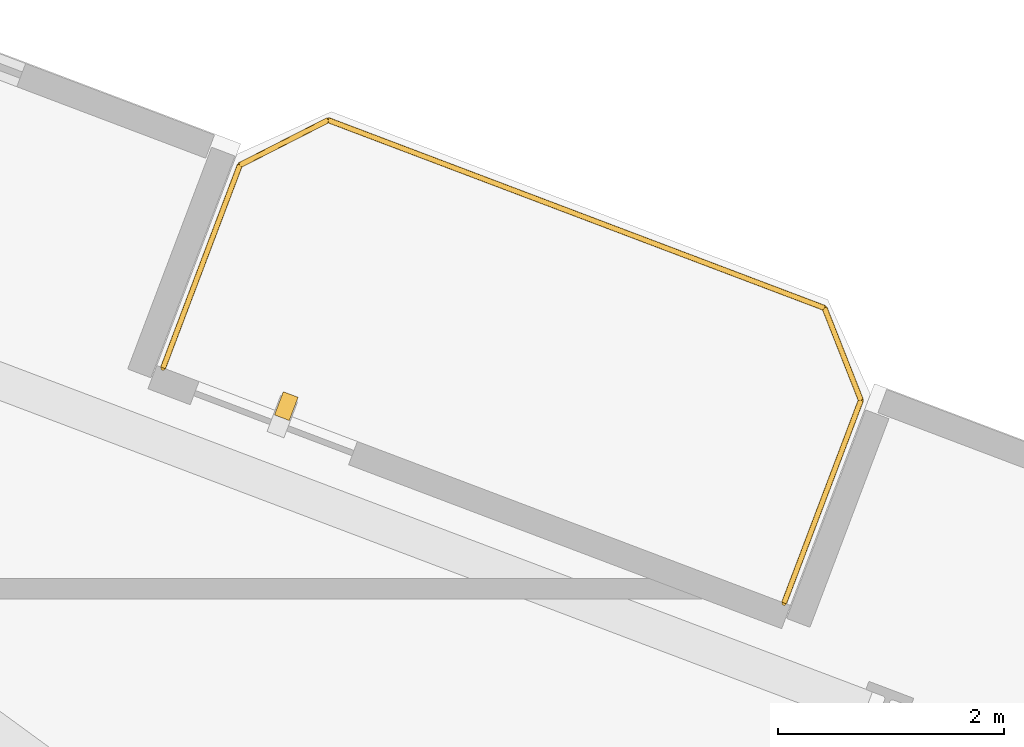
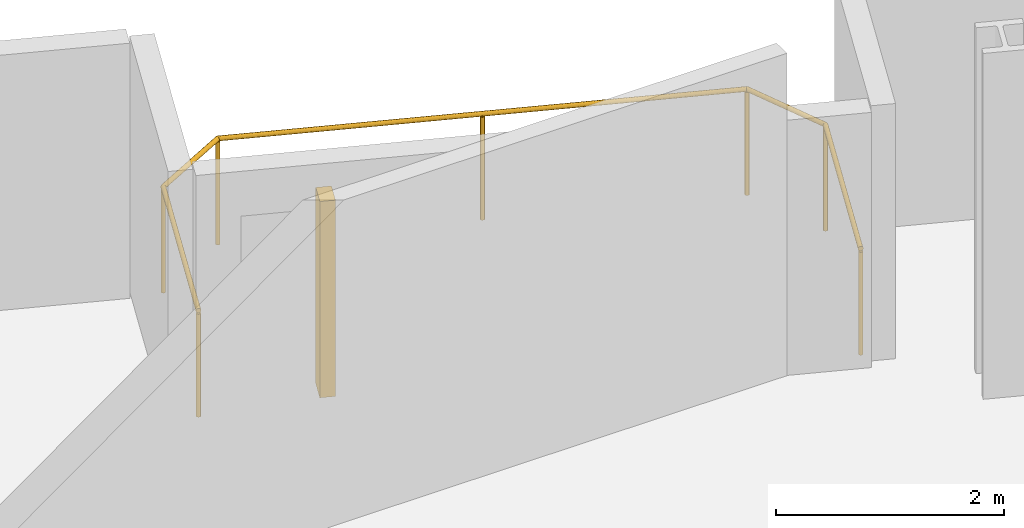
# One storey, part 24 of 24: 1 railing, 1 shading device.
"""IFC4 building model written with IfcOpenShell, lengths in metres."""

from ifc_helpers import new_model, si_unit, direction, frame, origin, origin_2d, place, context, subcontext, project, spatial, rectangle, circle, extrude, source, transform, mapped, material, type_object, element, save


model = new_model("IFC4")

# Units and contexts
model_context = context("Model", 3, precision=1e-05, world=origin(), true_north=direction((0.0, 1.0)))
body_context = subcontext(model_context, "Body", "Model", "MODEL_VIEW")
ifc_project = project(units=[si_unit("LENGTHUNIT", "METRE"), si_unit("AREAUNIT", "SQUARE_METRE"), si_unit("VOLUMEUNIT", "CUBIC_METRE"), si_unit("PLANEANGLEUNIT", "RADIAN"), si_unit("MASSUNIT", "GRAM", prefix="KILO")], contexts=[model_context])

# Site, building, storey
site_placement = place(None, origin())
site = spatial("IfcSite", under=ifc_project, at=site_placement, CompositionType="ELEMENT")
building_placement = place(site_placement, origin())
building = spatial("IfcBuilding", under=site, at=building_placement, Name="Varnelok Gate Tower", CompositionType="ELEMENT")
storey_placement = place(building_placement, frame((0.0, 0.0, 94.699951171875)))
storey = spatial("IfcBuildingStorey", under=building, at=storey_placement, Name="L23", CompositionType="ELEMENT", Elevation=94.699951171875)

# Railing
ifc_material_1 = material(Name="Low-E Laminated Double Glazing IGU", Category="glass")
railing_type = type_object("IfcRailingType", Name="RL-BALC-1150", PredefinedType="BALUSTRADE", material=ifc_material_1)
railing_placement = place(storey_placement, frame((57.49462890625, 41.256103515625, 0.0)))
element("IfcRailing", 1, at=railing_placement, inside=storey, type_object=railing_type, Name="L23 North Terrace Balustrade 6", PredefinedType="BALUSTRADE", context=body_context, shape_type="SweptSolid", body=[
    extrude(circle(Radius=0.02392578125, at=origin_2d()), frame((0.0, 0.0, 1.1259765625), z_axis=(0.354006333352, 0.935243025073, 0.0), x_axis=(-0.935243025073, 0.354006333352, 0.0)), (0.0, 0.0, 1.0), 1.919921875),
    extrude(circle(Radius=0.02392578125, at=origin_2d()), frame((0.6796875, 1.795654296875, 1.1259765625), z_axis=(0.89078254773, 0.454429810487, 0.0), x_axis=(-0.454429810487, 0.89078254773, 0.0)), (0.0, 0.0, 1.0), 0.8779296875),
    extrude(circle(Radius=0.02392578125, at=origin_2d()), frame((1.461669921875, 2.194580078125, 1.1259765625), z_axis=(0.935223045203, -0.354059113314, 0.0), x_axis=(0.354059113314, 0.935223045203, 0.0)), (0.0, 0.0, 1.0), 4.699951171875),
    extrude(circle(Radius=0.02392578125, at=origin_2d()), frame((5.857177734375, 0.530517578125, 1.1259765625), z_axis=(0.36659018357, -0.930382522036, 0.0), x_axis=(0.930382522036, 0.36659018357, 0.0)), (0.0, 0.0, 1.0), 0.877685546875),
    extrude(circle(Radius=0.02392578125, at=origin_2d()), frame((6.178955078125, -0.2861328125, 1.1259765625), z_axis=(-0.354117547856, -0.935200920819, 0.0), x_axis=(0.935200920819, -0.354117547856, 0.0)), (0.0, 0.0, 1.0), 1.920166015625),
    extrude(circle(Radius=0.02099609375, at=origin_2d()), origin(), (0.0, 0.0, 1.0), 1.101806640625),
    extrude(circle(Radius=0.02099609375, at=origin_2d()), frame((0.6796875, 1.795654296875, 0.0)), (0.0, 0.0, 1.0), 1.101806640625),
    extrude(circle(Radius=0.02099609375, at=origin_2d()), frame((1.461669921875, 2.194580078125, 0.0)), (0.0, 0.0, 1.0), 1.101806640625),
    extrude(circle(Radius=0.02099609375, at=origin_2d()), frame((3.659423828125, 1.362548828125, 0.0)), (0.0, 0.0, 1.0), 1.101806640625),
    extrude(circle(Radius=0.02099609375, at=origin_2d()), frame((5.857177734375, 0.530517578125, 0.0)), (0.0, 0.0, 1.0), 1.101806640625),
    extrude(circle(Radius=0.02099609375, at=origin_2d()), frame((6.178955078125, -0.2861328125, 0.0)), (0.0, 0.0, 1.0), 1.101806640625),
    extrude(circle(Radius=0.02099609375, at=origin_2d()), frame((5.4990234375, -2.081787109375, 0.0)), (0.0, 0.0, 1.0), 1.101806640625),
])

# Shading device
ifc_material_2 = material(Name="Glazed Architectural Terracotta Ceramic", Category="masonry")
shading_device_type = type_object("IfcShadingDeviceType", Name="SHD-TERRA-FIN", PredefinedType="USERDEFINED", material=ifc_material_2)
shared_shape = source(origin(), body_context, "Body", "SweptSolid", [
    extrude(rectangle(XDim=0.139892578125, YDim=0.219970703125, at=origin_2d()), origin(), (0.0, 0.0, 1.0), 2.10009765625),
])
shading_device_placement = place(storey_placement, frame((58.58544921875, 40.91796875, 0.10009765625), z_axis=(0.0, 0.0, 1.0), x_axis=(0.935221751401, -0.354062530786, 0.0)))
element("IfcShadingDevice", 2, at=shading_device_placement, inside=storey, type_object=shading_device_type, Name="L23 Terracotta Ceramic Baguette Sunscreen 6.1", ObjectType="BAGUETTE", PredefinedType="USERDEFINED", context=body_context, shape_type="MappedRepresentation", body=[
    mapped(shared_shape, transform((0.0, 0.0, 0.0), scale=1.0)),
])

save(model, "model.ifc")
